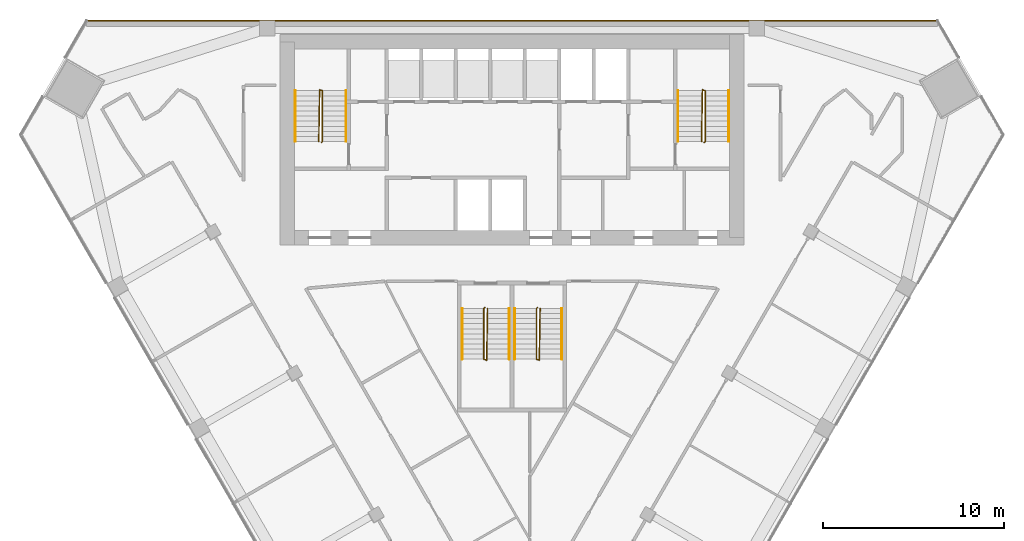
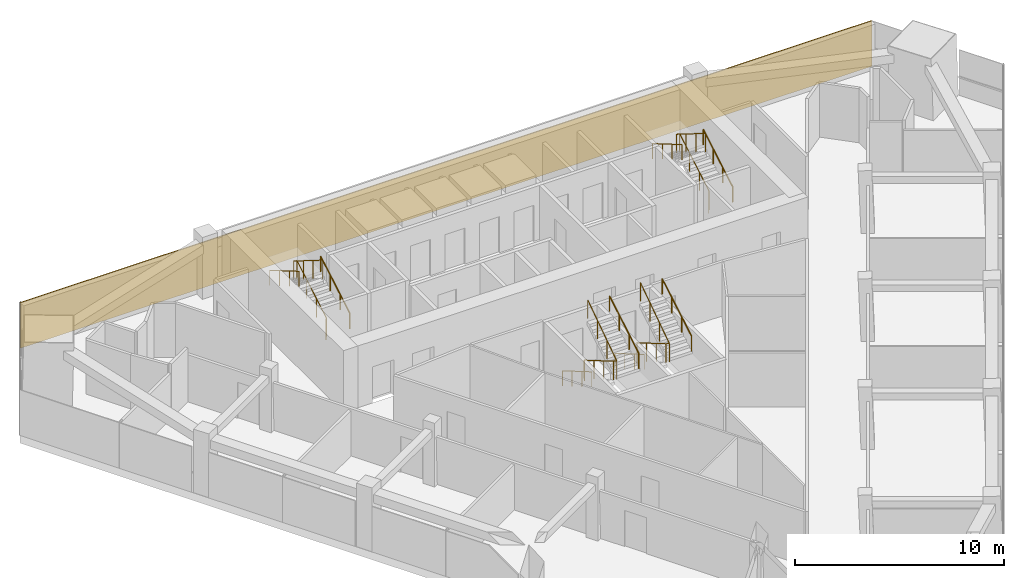
# One storey, part 12 of 13: 12 railings, 1 covering.
"""IFC4 building model written with IfcOpenShell, lengths in metres."""

from ifc_helpers import new_model, si_unit, direction, frame, frame_2d, origin, origin_2d, place, context, subcontext, project, spatial, rectangle, circle, extrude, material, layer, layer_set, type_object, element, save


model = new_model("IFC4")

# Units and contexts
model_context = context("Model", 3, precision=1e-05, world=origin(), true_north=direction((0.0, 1.0)))
body_context = subcontext(model_context, "Body", "Model", "MODEL_VIEW")
ifc_project = project(units=[si_unit("LENGTHUNIT", "METRE"), si_unit("AREAUNIT", "SQUARE_METRE"), si_unit("VOLUMEUNIT", "CUBIC_METRE"), si_unit("PLANEANGLEUNIT", "RADIAN"), si_unit("MASSUNIT", "GRAM", prefix="KILO")], contexts=[model_context])

# Site, building, storey
site_placement = place(None, origin())
site = spatial("IfcSite", under=ifc_project, at=site_placement, CompositionType="ELEMENT")
building_placement = place(site_placement, origin())
building = spatial("IfcBuilding", under=site, at=building_placement, Name="Altiplano Prism Tower", CompositionType="ELEMENT")
storey_placement = place(building_placement, frame((0.0, 0.0, 153.0)))
storey = spatial("IfcBuildingStorey", under=building, at=storey_placement, Name="L39", CompositionType="ELEMENT", Elevation=153.0)

# Railings
ifc_material_1 = material(Name="Steel S355", Category="steel")
railing_type_1 = type_object("IfcRailingType", Name="Stair guard 1100", PredefinedType="GUARDRAIL", material=ifc_material_1)
railing_1_placement = place(storey_placement, frame((74.5, 98.25, 0.0)))
element("IfcRailing", 1, at=railing_1_placement, inside=storey, type_object=railing_type_1, Name="L39 ST1 stair guard 1", PredefinedType="GUARDRAIL", context=body_context, shape_type="SweptSolid", body=[
    extrude(circle(Radius=0.02392578125, at=origin_2d()), frame((0.0, 0.0, 1.076171875), z_axis=(0.280808744504, 0.280808744504, 0.917765164963), x_axis=(-0.707106781187, 0.707106781187, 0.0)), (0.0, 0.0, 1.0), 0.17822265625),
    extrude(circle(Radius=0.02392578125, at=origin_2d()), frame((0.050048828125, 0.050048828125, 1.23974609375), z_axis=(0.0, 0.863360870873, 0.504586966384), x_axis=(-1.0, 0.0, 0.0)), (0.0, 0.0, 1.0), 3.2431640625),
    extrude(circle(Radius=0.02392578125, at=origin_2d()), frame((0.050048828125, 2.85009765625, 2.8759765625), z_axis=(-0.949145278916, 0.314838433982, 0.0), x_axis=(-0.314838433982, -0.949145278916, 0.0)), (0.0, 0.0, 1.0), 0.158203125),
    extrude(circle(Radius=0.02392578125, at=origin_2d()), frame((-0.10009765625, 2.89990234375, 2.8759765625), z_axis=(-0.01477401265, -0.845377694409, 0.533964682676), x_axis=(0.999847325713, -0.01747355902, 0.0)), (0.0, 0.0, 1.0), 3.37109375),
    extrude(circle(Radius=0.02099609375, at=origin_2d()), origin(), (0.0, 0.0, 1.0), 1.052001953125),
    extrude(circle(Radius=0.02099609375, at=origin_2d()), frame((0.050048828125, 0.050048828125, 0.16357421875)), (0.0, 0.0, 1.0), 1.052001953125),
    extrude(circle(Radius=0.02099609375, at=origin_2d()), frame((0.050048828125, 0.9833984375, 0.708984375)), (0.0, 0.0, 1.0), 1.052001953125),
    extrude(circle(Radius=0.02099609375, at=origin_2d()), frame((0.050048828125, 1.916748046875, 1.254638671875)), (0.0, 0.0, 1.0), 1.052001953125),
    extrude(circle(Radius=0.02099609375, at=origin_2d()), frame((0.050048828125, 2.85009765625, 1.800048828125)), (0.0, 0.0, 1.0), 1.052001953125),
    extrude(circle(Radius=0.02099609375, at=origin_2d()), frame((-0.10009765625, 2.89990234375, 1.800048828125)), (0.0, 0.0, 1.0), 1.052001953125),
    extrude(circle(Radius=0.02099609375, at=origin_2d()), frame((-0.11669921875, 1.949951171875, 2.400146484375)), (0.0, 0.0, 1.0), 1.052001953125),
    extrude(circle(Radius=0.02099609375, at=origin_2d()), frame((-0.13330078125, 1.0, 3.0)), (0.0, 0.0, 1.0), 1.052001953125),
    extrude(circle(Radius=0.02099609375, at=origin_2d()), frame((-0.14990234375, 0.050048828125, 3.60009765625)), (0.0, 0.0, 1.0), 1.052001953125),
])
railing_2_placement = place(storey_placement, frame((95.60009765625, 98.25, 0.0)))
element("IfcRailing", 2, at=railing_2_placement, inside=storey, type_object=railing_type_1, Name="L39 ST2 stair guard 1", PredefinedType="GUARDRAIL", context=body_context, shape_type="SweptSolid", body=[
    extrude(circle(Radius=0.02392578125, at=origin_2d()), frame((0.0, 0.0, 1.076171875), z_axis=(0.279546231943, 0.280916556609, 0.91811752648), x_axis=(-0.708833529934, 0.705375805398, 0.0)), (0.0, 0.0, 1.0), 0.17822265625),
    extrude(circle(Radius=0.02392578125, at=origin_2d()), frame((0.0498046875, 0.050048828125, 1.23974609375), z_axis=(0.0, 0.863360870873, 0.504586966384), x_axis=(-1.0, 0.0, 0.0)), (0.0, 0.0, 1.0), 3.2431640625),
    extrude(circle(Radius=0.02392578125, at=origin_2d()), frame((0.0498046875, 2.85009765625, 2.8759765625), z_axis=(-0.948991962702, 0.315300261223, 0.0), x_axis=(-0.315300261223, -0.948991962702, 0.0)), (0.0, 0.0, 1.0), 0.157958984375),
    extrude(circle(Radius=0.02392578125, at=origin_2d()), frame((-0.10009765625, 2.89990234375, 2.8759765625), z_axis=(-0.014846418356, -0.845376787675, 0.533964109957), x_axis=(0.999845825584, -0.017559187376, 0.0)), (0.0, 0.0, 1.0), 3.37109375),
    extrude(circle(Radius=0.02099609375, at=origin_2d()), origin(), (0.0, 0.0, 1.0), 1.052001953125),
    extrude(circle(Radius=0.02099609375, at=origin_2d()), frame((0.0498046875, 0.050048828125, 0.16357421875)), (0.0, 0.0, 1.0), 1.052001953125),
    extrude(circle(Radius=0.02099609375, at=origin_2d()), frame((0.0498046875, 0.9833984375, 0.708984375)), (0.0, 0.0, 1.0), 1.052001953125),
    extrude(circle(Radius=0.02099609375, at=origin_2d()), frame((0.0498046875, 1.916748046875, 1.254638671875)), (0.0, 0.0, 1.0), 1.052001953125),
    extrude(circle(Radius=0.02099609375, at=origin_2d()), frame((0.0498046875, 2.85009765625, 1.800048828125)), (0.0, 0.0, 1.0), 1.052001953125),
    extrude(circle(Radius=0.02099609375, at=origin_2d()), frame((-0.10009765625, 2.89990234375, 1.800048828125)), (0.0, 0.0, 1.0), 1.052001953125),
    extrude(circle(Radius=0.02099609375, at=origin_2d()), frame((-0.11669921875, 1.949951171875, 2.400146484375)), (0.0, 0.0, 1.0), 1.052001953125),
    extrude(circle(Radius=0.02099609375, at=origin_2d()), frame((-0.133544921875, 1.0, 3.0)), (0.0, 0.0, 1.0), 1.052001953125),
    extrude(circle(Radius=0.02099609375, at=origin_2d()), frame((-0.150146484375, 0.050048828125, 3.60009765625)), (0.0, 0.0, 1.0), 1.052001953125),
])
railing_3_placement = place(storey_placement, frame((83.5, 89.14990234375, 0.0)))
element("IfcRailing", 3, at=railing_3_placement, inside=storey, type_object=railing_type_1, Name="L39 ST3A stair guard 1", PredefinedType="GUARDRAIL", context=body_context, shape_type="SweptSolid", body=[
    extrude(circle(Radius=0.02392578125, at=origin_2d()), frame((0.0, 0.0, 1.076171875), z_axis=(-0.280916556609, -0.279546231943, 0.91811752648), x_axis=(0.705375805398, -0.708833529934, 0.0)), (0.0, 0.0, 1.0), 0.17822265625),
    extrude(circle(Radius=0.02392578125, at=origin_2d()), frame((-0.050048828125, -0.0498046875, 1.23974609375), z_axis=(0.0, -0.863360870873, 0.504586966384), x_axis=(1.0, 0.0, 0.0)), (0.0, 0.0, 1.0), 3.2431640625),
    extrude(circle(Radius=0.02392578125, at=origin_2d()), frame((-0.050048828125, -2.849853515625, 2.8759765625), z_axis=(0.948683298051, -0.316227766017, 0.0), x_axis=(0.316227766017, 0.948683298051, 0.0)), (0.0, 0.0, 1.0), 0.158203125),
    extrude(circle(Radius=0.02392578125, at=origin_2d()), frame((0.10009765625, -2.89990234375, 2.8759765625), z_axis=(0.014773108175, 0.84539835705, 0.533931993021), x_axis=(-0.999847351862, 0.017472062685, 0.0)), (0.0, 0.0, 1.0), 3.371337890625),
    extrude(circle(Radius=0.02099609375, at=origin_2d()), origin(), (0.0, 0.0, 1.0), 1.052001953125),
    extrude(circle(Radius=0.02099609375, at=origin_2d()), frame((-0.050048828125, -0.0498046875, 0.16357421875)), (0.0, 0.0, 1.0), 1.052001953125),
    extrude(circle(Radius=0.02099609375, at=origin_2d()), frame((-0.050048828125, -0.983154296875, 0.708984375)), (0.0, 0.0, 1.0), 1.052001953125),
    extrude(circle(Radius=0.02099609375, at=origin_2d()), frame((-0.050048828125, -1.91650390625, 1.254638671875)), (0.0, 0.0, 1.0), 1.052001953125),
    extrude(circle(Radius=0.02099609375, at=origin_2d()), frame((-0.050048828125, -2.849853515625, 1.800048828125)), (0.0, 0.0, 1.0), 1.052001953125),
    extrude(circle(Radius=0.02099609375, at=origin_2d()), frame((0.10009765625, -2.89990234375, 1.800048828125)), (0.0, 0.0, 1.0), 1.052001953125),
    extrude(circle(Radius=0.02099609375, at=origin_2d()), frame((0.11669921875, -1.949951171875, 2.400146484375)), (0.0, 0.0, 1.0), 1.052001953125),
    extrude(circle(Radius=0.02099609375, at=origin_2d()), frame((0.13330078125, -0.999755859375, 3.0)), (0.0, 0.0, 1.0), 1.052001953125),
    extrude(circle(Radius=0.02099609375, at=origin_2d()), frame((0.14990234375, -0.0498046875, 3.60009765625)), (0.0, 0.0, 1.0), 1.052001953125),
])
railing_4_placement = place(storey_placement, frame((86.39990234375, 89.14990234375, 0.0)))
element("IfcRailing", 4, at=railing_4_placement, inside=storey, type_object=railing_type_1, Name="L39 ST3B stair guard 1", PredefinedType="GUARDRAIL", context=body_context, shape_type="SweptSolid", body=[
    extrude(circle(Radius=0.02392578125, at=origin_2d()), frame((0.0, 0.0, 1.076171875), z_axis=(-0.279653641804, -0.279653641804, 0.918470294159), x_axis=(0.707106781187, -0.707106781187, 0.0)), (0.0, 0.0, 1.0), 0.177978515625),
    extrude(circle(Radius=0.02392578125, at=origin_2d()), frame((-0.0498046875, -0.0498046875, 1.23974609375), z_axis=(0.0, -0.863360870873, 0.504586966384), x_axis=(1.0, 0.0, 0.0)), (0.0, 0.0, 1.0), 3.2431640625),
    extrude(circle(Radius=0.02392578125, at=origin_2d()), frame((-0.0498046875, -2.849853515625, 2.8759765625), z_axis=(0.948528701346, -0.316691178788, 0.0), x_axis=(0.316691178788, 0.948528701346, 0.0)), (0.0, 0.0, 1.0), 0.157958984375),
    extrude(circle(Radius=0.02392578125, at=origin_2d()), frame((0.10009765625, -2.89990234375, 2.8759765625), z_axis=(0.014845509451, 0.845397450405, 0.533931420407), x_axis=(-0.999845851991, 0.017557683712, 0.0)), (0.0, 0.0, 1.0), 3.371337890625),
    extrude(circle(Radius=0.02099609375, at=origin_2d()), origin(), (0.0, 0.0, 1.0), 1.052001953125),
    extrude(circle(Radius=0.02099609375, at=origin_2d()), frame((-0.0498046875, -0.0498046875, 0.16357421875)), (0.0, 0.0, 1.0), 1.052001953125),
    extrude(circle(Radius=0.02099609375, at=origin_2d()), frame((-0.0498046875, -0.983154296875, 0.708984375)), (0.0, 0.0, 1.0), 1.052001953125),
    extrude(circle(Radius=0.02099609375, at=origin_2d()), frame((-0.0498046875, -1.91650390625, 1.254638671875)), (0.0, 0.0, 1.0), 1.052001953125),
    extrude(circle(Radius=0.02099609375, at=origin_2d()), frame((-0.0498046875, -2.849853515625, 1.800048828125)), (0.0, 0.0, 1.0), 1.052001953125),
    extrude(circle(Radius=0.02099609375, at=origin_2d()), frame((0.10009765625, -2.89990234375, 1.800048828125)), (0.0, 0.0, 1.0), 1.052001953125),
    extrude(circle(Radius=0.02099609375, at=origin_2d()), frame((0.11669921875, -1.949951171875, 2.400146484375)), (0.0, 0.0, 1.0), 1.052001953125),
    extrude(circle(Radius=0.02099609375, at=origin_2d()), frame((0.133544921875, -0.999755859375, 3.0)), (0.0, 0.0, 1.0), 1.052001953125),
    extrude(circle(Radius=0.02099609375, at=origin_2d()), frame((0.150146484375, -0.0498046875, 3.60009765625)), (0.0, 0.0, 1.0), 1.052001953125),
])
railing_type_2 = type_object("IfcRailingType", Name="Stair handrail 900", PredefinedType="HANDRAIL", material=ifc_material_1)
railing_5_placement = place(storey_placement, frame((75.85009765625, 98.300048828125, 0.16357421875)))
element("IfcRailing", 5, at=railing_5_placement, inside=storey, type_object=railing_type_2, Name="L39 ST1 stair handrail 1", PredefinedType="HANDRAIL", context=body_context, shape_type="SweptSolid", body=[
    extrude(circle(Radius=0.02392578125, at=origin_2d()), frame((0.0, 0.0, 0.8759765625), z_axis=(0.0, 0.863360870873, 0.504586966384), x_axis=(-1.0, 0.0, 0.0)), (0.0, 0.0, 1.0), 3.2431640625),
    extrude(circle(Radius=0.02099609375, at=origin_2d()), origin(), (0.0, 0.0, 1.0), 0.851806640625),
    extrude(circle(Radius=0.02099609375, at=origin_2d()), frame((0.0, 0.933349609375, 0.54541015625)), (0.0, 0.0, 1.0), 0.851806640625),
    extrude(circle(Radius=0.02099609375, at=origin_2d()), frame((0.0, 1.86669921875, 1.091064453125)), (0.0, 0.0, 1.0), 0.851806640625),
    extrude(circle(Radius=0.02099609375, at=origin_2d()), frame((0.0, 2.800048828125, 1.636474609375)), (0.0, 0.0, 1.0), 0.851806640625),
])
railing_6_placement = place(storey_placement, frame((73.050048828125, 101.10009765625, 1.963623046875)))
element("IfcRailing", 6, at=railing_6_placement, inside=storey, type_object=railing_type_2, Name="L39 ST1 stair handrail 2", PredefinedType="HANDRAIL", context=body_context, shape_type="SweptSolid", body=[
    extrude(circle(Radius=0.02392578125, at=origin_2d()), frame((0.0, 0.0, 0.8759765625), z_axis=(0.0, -0.863360870873, 0.504586966384), x_axis=(1.0, 0.0, 0.0)), (0.0, 0.0, 1.0), 3.2431640625),
    extrude(circle(Radius=0.02099609375, at=origin_2d()), origin(), (0.0, 0.0, 1.0), 0.851806640625),
    extrude(circle(Radius=0.02099609375, at=origin_2d()), frame((0.0, -0.933349609375, 0.54541015625)), (0.0, 0.0, 1.0), 0.851806640625),
    extrude(circle(Radius=0.02099609375, at=origin_2d()), frame((0.0, -1.86669921875, 1.091064453125)), (0.0, 0.0, 1.0), 0.851806640625),
    extrude(circle(Radius=0.02099609375, at=origin_2d()), frame((0.0, -2.800048828125, 1.636474609375)), (0.0, 0.0, 1.0), 0.851806640625),
])
railing_7_placement = place(storey_placement, frame((96.949951171875, 98.300048828125, 0.16357421875)))
element("IfcRailing", 7, at=railing_7_placement, inside=storey, type_object=railing_type_2, Name="L39 ST2 stair handrail 1", PredefinedType="HANDRAIL", context=body_context, shape_type="SweptSolid", body=[
    extrude(circle(Radius=0.02392578125, at=origin_2d()), frame((0.0, 0.0, 0.8759765625), z_axis=(0.0, 0.863360870873, 0.504586966384), x_axis=(-1.0, 0.0, 0.0)), (0.0, 0.0, 1.0), 3.2431640625),
    extrude(circle(Radius=0.02099609375, at=origin_2d()), origin(), (0.0, 0.0, 1.0), 0.851806640625),
    extrude(circle(Radius=0.02099609375, at=origin_2d()), frame((0.0, 0.933349609375, 0.54541015625)), (0.0, 0.0, 1.0), 0.851806640625),
    extrude(circle(Radius=0.02099609375, at=origin_2d()), frame((0.0, 1.86669921875, 1.091064453125)), (0.0, 0.0, 1.0), 0.851806640625),
    extrude(circle(Radius=0.02099609375, at=origin_2d()), frame((0.0, 2.800048828125, 1.636474609375)), (0.0, 0.0, 1.0), 0.851806640625),
])
for number, where, name in (
    (8, (94.14990234375, 101.10009765625, 1.963623046875), "L39 ST2 stair handrail 2"),
    (9, (82.25, 89.10009765625, 0.16357421875), "L39 ST3A stair handrail 1"),
):
    element("IfcRailing", number, at=place(storey_placement, frame(where)), inside=storey, type_object=railing_type_2, Name=name, PredefinedType="HANDRAIL", context=body_context, shape_type="SweptSolid", body=[
        extrude(circle(Radius=0.02392578125, at=origin_2d()), frame((0.0, 0.0, 0.8759765625), z_axis=(0.0, -0.863360870873, 0.504586966384), x_axis=(1.0, 0.0, 0.0)), (0.0, 0.0, 1.0), 3.2431640625),
        extrude(circle(Radius=0.02099609375, at=origin_2d()), origin(), (0.0, 0.0, 1.0), 0.851806640625),
        extrude(circle(Radius=0.02099609375, at=origin_2d()), frame((0.0, -0.933349609375, 0.54541015625)), (0.0, 0.0, 1.0), 0.851806640625),
        extrude(circle(Radius=0.02099609375, at=origin_2d()), frame((0.0, -1.86669921875, 1.091064453125)), (0.0, 0.0, 1.0), 0.851806640625),
        extrude(circle(Radius=0.02099609375, at=origin_2d()), frame((0.0, -2.800048828125, 1.636474609375)), (0.0, 0.0, 1.0), 0.851806640625),
    ])
railing_8_placement = place(storey_placement, frame((84.85009765625, 86.300048828125, 1.963623046875)))
element("IfcRailing", 10, at=railing_8_placement, inside=storey, type_object=railing_type_2, Name="L39 ST3A stair handrail 2", PredefinedType="HANDRAIL", context=body_context, shape_type="SweptSolid", body=[
    extrude(circle(Radius=0.02392578125, at=origin_2d()), frame((0.0, 0.0, 0.8759765625), z_axis=(0.0, 0.863360870873, 0.504586966384), x_axis=(-1.0, 0.0, 0.0)), (0.0, 0.0, 1.0), 3.2431640625),
    extrude(circle(Radius=0.02099609375, at=origin_2d()), origin(), (0.0, 0.0, 1.0), 0.851806640625),
    extrude(circle(Radius=0.02099609375, at=origin_2d()), frame((0.0, 0.933349609375, 0.54541015625)), (0.0, 0.0, 1.0), 0.851806640625),
    extrude(circle(Radius=0.02099609375, at=origin_2d()), frame((0.0, 1.86669921875, 1.091064453125)), (0.0, 0.0, 1.0), 0.851806640625),
    extrude(circle(Radius=0.02099609375, at=origin_2d()), frame((0.0, 2.800048828125, 1.636474609375)), (0.0, 0.0, 1.0), 0.851806640625),
])
railing_9_placement = place(storey_placement, frame((85.14990234375, 89.10009765625, 0.16357421875)))
element("IfcRailing", 11, at=railing_9_placement, inside=storey, type_object=railing_type_2, Name="L39 ST3B stair handrail 1", PredefinedType="HANDRAIL", context=body_context, shape_type="SweptSolid", body=[
    extrude(circle(Radius=0.02392578125, at=origin_2d()), frame((0.0, 0.0, 0.8759765625), z_axis=(0.0, -0.863360870873, 0.504586966384), x_axis=(1.0, 0.0, 0.0)), (0.0, 0.0, 1.0), 3.2431640625),
    extrude(circle(Radius=0.02099609375, at=origin_2d()), origin(), (0.0, 0.0, 1.0), 0.851806640625),
    extrude(circle(Radius=0.02099609375, at=origin_2d()), frame((0.0, -0.933349609375, 0.54541015625)), (0.0, 0.0, 1.0), 0.851806640625),
    extrude(circle(Radius=0.02099609375, at=origin_2d()), frame((0.0, -1.86669921875, 1.091064453125)), (0.0, 0.0, 1.0), 0.851806640625),
    extrude(circle(Radius=0.02099609375, at=origin_2d()), frame((0.0, -2.800048828125, 1.636474609375)), (0.0, 0.0, 1.0), 0.851806640625),
])
railing_10_placement = place(storey_placement, frame((87.75, 86.300048828125, 1.963623046875)))
element("IfcRailing", 12, at=railing_10_placement, inside=storey, type_object=railing_type_2, Name="L39 ST3B stair handrail 2", PredefinedType="HANDRAIL", context=body_context, shape_type="SweptSolid", body=[
    extrude(circle(Radius=0.02392578125, at=origin_2d()), frame((0.0, 0.0, 0.8759765625), z_axis=(0.0, 0.863360870873, 0.504586966384), x_axis=(-1.0, 0.0, 0.0)), (0.0, 0.0, 1.0), 3.2431640625),
    extrude(circle(Radius=0.02099609375, at=origin_2d()), origin(), (0.0, 0.0, 1.0), 0.851806640625),
    extrude(circle(Radius=0.02099609375, at=origin_2d()), frame((0.0, 0.933349609375, 0.54541015625)), (0.0, 0.0, 1.0), 0.851806640625),
    extrude(circle(Radius=0.02099609375, at=origin_2d()), frame((0.0, 1.86669921875, 1.091064453125)), (0.0, 0.0, 1.0), 0.851806640625),
    extrude(circle(Radius=0.02099609375, at=origin_2d()), frame((0.0, 2.800048828125, 1.636474609375)), (0.0, 0.0, 1.0), 0.851806640625),
])

# Covering
ifc_material_2 = material(Name="Warm limestone cast stone", Category="masonry")
ifc_layer = layer(ifc_material_2, 0.06005859375)
ifc_layer_set = layer_set([ifc_layer], Name="Warm limestone cast stone")
covering_type = type_object("IfcCoveringType", Name="Stone cladding 60", PredefinedType="CLADDING", material=ifc_layer_set)
covering_placement = place(storey_placement, frame((61.5322265625, 104.969970703125, 0.0), z_axis=(0.0, 0.0, 1.0), x_axis=(1.0, 0.0, 0.0)))
element("IfcCovering", 13, at=covering_placement, inside=storey, type_object=covering_type, Name="Stone cladding north face L39", PredefinedType="CLADDING", context=body_context, shape_type="SweptSolid", body=[
    extrude(rectangle(XDim=46.935546875, YDim=0.06005859375, at=frame_2d((23.4677734375, 0.0))), origin(), (0.0, 0.0, 1.0), 2.64990234375),
])

save(model, "model.ifc")
